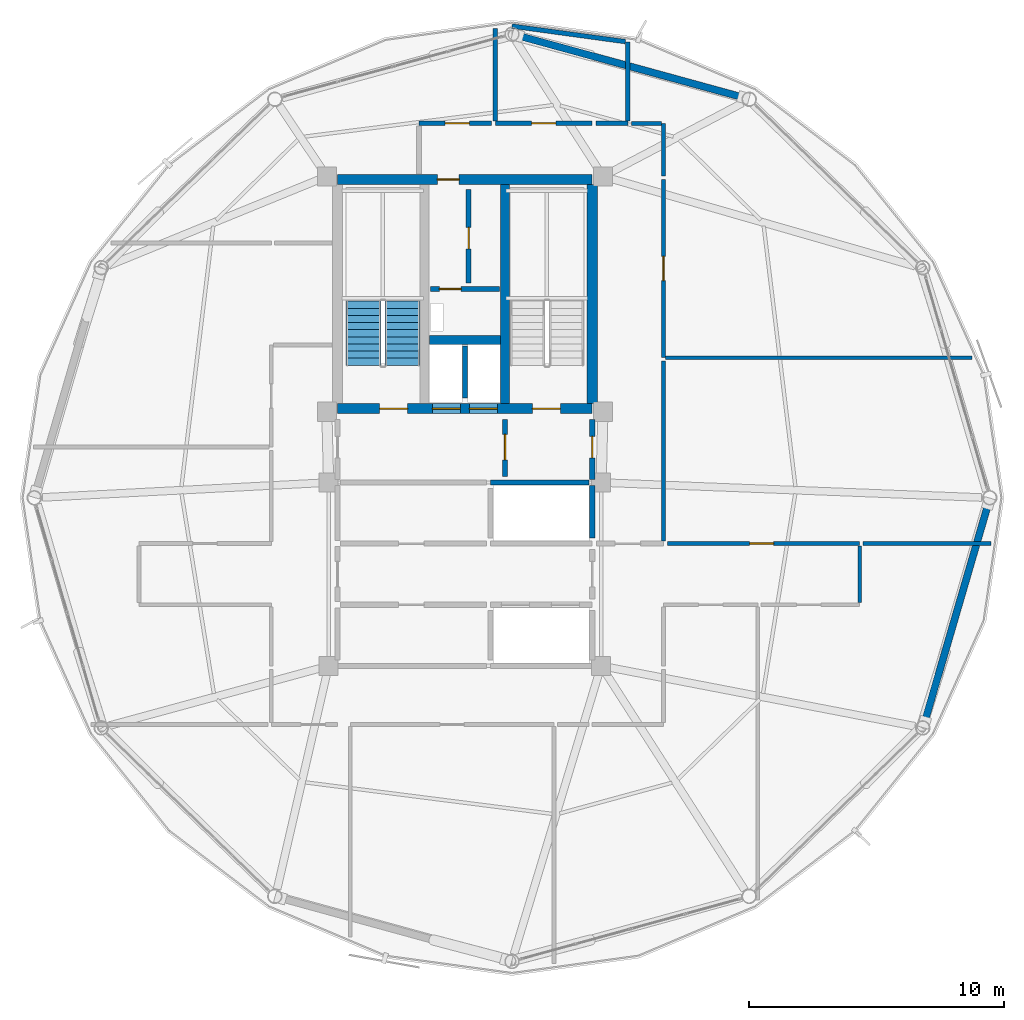
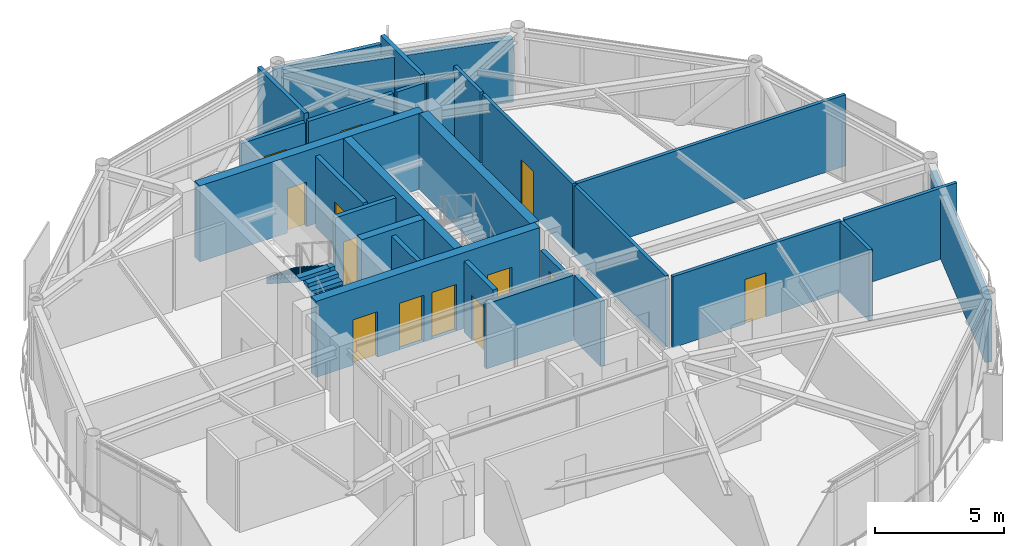
# One storey, part 23 of 27: 28 walls, 13 doors, 2 stair flights, 13 openings, 1 element without a shape of its own.
"""IFC4 building model written with IfcOpenShell, lengths in metres."""

from ifc_helpers import new_model, si_unit, direction, frame, frame_2d, origin, place, context, subcontext, project, spatial, polyline, rectangle, outline, extrude, material, layer, layer_set, type_object, element, fill, aggregate, save


model = new_model("IFC4")

# Units and contexts
model_context = context("Model", 3, precision=1e-05, world=origin(), true_north=direction((0.0, 1.0)))
body_context = subcontext(model_context, "Body", "Model", "MODEL_VIEW")
ifc_project = project(units=[si_unit("LENGTHUNIT", "METRE"), si_unit("AREAUNIT", "SQUARE_METRE"), si_unit("VOLUMEUNIT", "CUBIC_METRE"), si_unit("PLANEANGLEUNIT", "RADIAN"), si_unit("MASSUNIT", "GRAM", prefix="KILO")], contexts=[model_context])

# Site, building, storey
site_placement = place(None, origin())
site = spatial("IfcSite", under=ifc_project, at=site_placement, CompositionType="ELEMENT")
building_placement = place(site_placement, origin())
building = spatial("IfcBuilding", under=site, at=building_placement, Name="Varnakorn Sky Granary", CompositionType="ELEMENT")
storey_placement = place(building_placement, frame((0.0, 0.0, 232.800048828125)))
storey = spatial("IfcBuildingStorey", under=building, at=storey_placement, Name="L59", CompositionType="ELEMENT", Elevation=232.800048828125)

# Walls
ifc_material_1 = material(Name="Concrete C50/60", Category="concrete")
ifc_layer_1 = layer(ifc_material_1, 0.35009765625, Name="Concrete C50/60")
ifc_layer_set_1 = layer_set([ifc_layer_1], Name="Concrete C50/60")
wall_type_1 = type_object("IfcWallType", Name="WT-CW-INT-350", PredefinedType="SHEAR", material=ifc_layer_set_1)
wall_1_placement = place(storey_placement, frame((4.580078125, 3.7099609375, 0.0), z_axis=(0.0, 0.0, 1.0), x_axis=(0.0, 1.0, 0.0)))
element("IfcWall", 1, at=wall_1_placement, inside=storey, type_object=wall_type_1, Name="Stair ST-2 Core Wall L59", PredefinedType="SHEAR", context=body_context, shape_type="SweptSolid", body=[
    extrude(rectangle(XDim=8.580078125, YDim=0.35009765625, at=frame_2d((4.2900390625, 0.0))), origin(), (0.0, 0.0, 1.0), 3.592041015625),
])
wall_2_placement = place(storey_placement, frame((1.610107421875, 6.199951171875, 0.0), z_axis=(0.0, 0.0, 1.0), x_axis=(1.0, 0.0, 0.0)))
element("IfcWall", 2, at=wall_2_placement, inside=storey, type_object=wall_type_1, Name="Core Lift Shaft Cross Wall L59", PredefinedType="SHEAR", context=body_context, shape_type="SweptSolid", body=[
    extrude(rectangle(XDim=2.77978515625, YDim=0.35009765625, at=frame_2d((1.389892578125, 0.0))), origin(), (0.0, 0.0, 1.0), 3.592041015625),
])

# Wall, openings, doors
ifc_layer_2 = layer(ifc_material_1, 0.39990234375, Name="Concrete C50/60")
ifc_layer_set_2 = layer_set([ifc_layer_2], Name="Concrete C50/60")
wall_type_2 = type_object("IfcWallType", Name="WT-CW-SHEAR-400", PredefinedType="SHEAR", material=ifc_layer_set_2)
wall_3_placement = place(storey_placement, frame((-2.0, 3.5, 0.0), z_axis=(0.0, 0.0, 1.0), x_axis=(1.0, 0.0, 0.0)))
wall_3 = element("IfcWall", 3, at=wall_3_placement, inside=storey, type_object=wall_type_2, Name="Core South Shear Wall L59", PredefinedType="SHEAR", context=body_context, shape_type="SweptSolid", body=[
    extrude(rectangle(XDim=10.0, YDim=0.39990234375, at=frame_2d((5.0, 0.0))), origin(), (0.0, 0.0, 1.0), 3.592041015625),
])
opening_1_placement = place(wall_3_placement, frame((1.64990234375, 0.0, 0.0)))
opening_1 = element("IfcOpeningElement", 4, at=opening_1_placement, cuts=wall_3, Name="Opening FD-90", PredefinedType="OPENING", context=body_context, shape_type="SweptSolid", body=[
    extrude(rectangle(XDim=1.10009765625, YDim=2.14990234375, at=frame_2d((0.550048828125, 1.074951171875))), frame((0.0, 0.2099609375, 0.0), z_axis=(0.0, -1.0, 0.0), x_axis=(1.0, 0.0, 0.0)), (0.0, 0.0, 1.0), 0.419921875),
])
opening_2_placement = place(wall_3_placement, frame((7.64990234375, 0.0, 0.0)))
opening_2 = element("IfcOpeningElement", 5, at=opening_2_placement, cuts=wall_3, Name="Opening FD-90", PredefinedType="OPENING", context=body_context, shape_type="SweptSolid", body=[
    extrude(rectangle(XDim=1.10009765625, YDim=2.14990234375, at=frame_2d((0.550048828125, 1.074951171875))), frame((0.0, 0.2099609375, 0.0), z_axis=(0.0, -1.0, 0.0), x_axis=(1.0, 0.0, 0.0)), (0.0, 0.0, 1.0), 0.419921875),
])
opening_3_placement = place(wall_3_placement, frame((3.719970703125, 0.0, 0.0)))
opening_3 = element("IfcOpeningElement", 6, at=opening_3_placement, cuts=wall_3, Name="Opening LD-01", PredefinedType="OPENING", context=body_context, shape_type="SweptSolid", body=[
    extrude(rectangle(XDim=1.10009765625, YDim=2.199951171875, at=frame_2d((0.550048828125, 1.10009765625))), frame((0.0, 0.2099609375, 0.0), z_axis=(0.0, -1.0, 0.0), x_axis=(1.0, 0.0, 0.0)), (0.0, 0.0, 1.0), 0.419921875),
])
opening_4_placement = place(wall_3_placement, frame((5.179931640625, 0.0, 0.0)))
opening_4 = element("IfcOpeningElement", 7, at=opening_4_placement, cuts=wall_3, Name="Opening LD-01", PredefinedType="OPENING", context=body_context, shape_type="SweptSolid", body=[
    extrude(rectangle(XDim=1.10009765625, YDim=2.199951171875, at=frame_2d((0.550048828125, 1.10009765625))), frame((0.0, 0.2099609375, 0.0), z_axis=(0.0, -1.0, 0.0), x_axis=(1.0, 0.0, 0.0)), (0.0, 0.0, 1.0), 0.419921875),
])
ifc_material_2 = material(Name="Brushed Bronze Stainless Steel", Category="steel")
door_type_1 = type_object("IfcDoorType", Name="DR-LD-1100", OperationType="DOUBLE_DOOR_SLIDING", PredefinedType="DOOR", material=ifc_material_2)
door_1_placement = place(opening_3_placement, origin())
door_1 = element("IfcDoor", 8, at=door_1_placement, inside=storey, type_object=door_type_1, Name="Firefighting Lift FFL-1 Landing Door L59", OperationType="DOUBLE_DOOR_SLIDING", OverallHeight=2.199951171875, OverallWidth=1.10009765625, PredefinedType="DOOR", context=body_context, shape_type="SweptSolid", body=[
    extrude(rectangle(XDim=1.10009765625, YDim=2.199951171875, at=frame_2d((0.550048828125, 1.10009765625))), frame((0.0, 0.02490234375, 0.0), z_axis=(0.0, -1.0, 0.0), x_axis=(1.0, 0.0, 0.0)), (0.0, 0.0, 1.0), 0.050048828125),
])
fill(opening_3, door_1)
door_2_placement = place(opening_4_placement, origin())
door_2 = element("IfcDoor", 9, at=door_2_placement, inside=storey, type_object=door_type_1, Name="Firefighting Lift FFL-2 Landing Door L59", OperationType="DOUBLE_DOOR_SLIDING", OverallHeight=2.199951171875, OverallWidth=1.10009765625, PredefinedType="DOOR", context=body_context, shape_type="SweptSolid", body=[
    extrude(rectangle(XDim=1.10009765625, YDim=2.199951171875, at=frame_2d((0.550048828125, 1.10009765625))), frame((0.0, 0.02490234375, 0.0), z_axis=(0.0, -1.0, 0.0), x_axis=(1.0, 0.0, 0.0)), (0.0, 0.0, 1.0), 0.050048828125),
])
fill(opening_4, door_2)
ifc_material_3 = material(Name="Galvanised Painted Steel Leaf", Category="steel")
door_type_2 = type_object("IfcDoorType", Name="DR-STAIR-1100", OperationType="NOTDEFINED", PredefinedType="DOOR", material=ifc_material_3)
door_3_placement = place(opening_1_placement, origin())
door_3 = element("IfcDoor", 10, at=door_3_placement, inside=storey, type_object=door_type_2, Name="Stair ST-1 Protected Fire Door L59", OperationType="SINGLE_SWING_LEFT", OverallHeight=2.14990234375, OverallWidth=1.10009765625, PredefinedType="DOOR", context=body_context, shape_type="SweptSolid", body=[
    extrude(rectangle(XDim=1.10009765625, YDim=2.14990234375, at=frame_2d((0.550048828125, 1.074951171875))), frame((0.0, 0.02490234375, 0.0), z_axis=(0.0, -1.0, 0.0), x_axis=(1.0, 0.0, 0.0)), (0.0, 0.0, 1.0), 0.050048828125),
])
fill(opening_1, door_3)
door_4_placement = place(opening_2_placement, origin())
door_4 = element("IfcDoor", 11, at=door_4_placement, inside=storey, type_object=door_type_2, Name="Stair ST-2 Protected Fire Door L59", OperationType="SINGLE_SWING_RIGHT", OverallHeight=2.14990234375, OverallWidth=1.10009765625, PredefinedType="DOOR", context=body_context, shape_type="SweptSolid", body=[
    extrude(rectangle(XDim=1.10009765625, YDim=2.14990234375, at=frame_2d((0.550048828125, 1.074951171875))), frame((0.0, 0.02490234375, 0.0), z_axis=(0.0, -1.0, 0.0), x_axis=(1.0, 0.0, 0.0)), (0.0, 0.0, 1.0), 0.050048828125),
])
fill(opening_2, door_4)

# Wall, opening, door
wall_4_placement = place(storey_placement, frame((-2.0, 12.5, 0.0), z_axis=(0.0, 0.0, 1.0), x_axis=(1.0, 0.0, 0.0)))
wall_4 = element("IfcWall", 12, at=wall_4_placement, inside=storey, type_object=wall_type_2, Name="Core North Shear Wall L59", PredefinedType="SHEAR", context=body_context, shape_type="SweptSolid", body=[
    extrude(rectangle(XDim=10.0, YDim=0.39990234375, at=frame_2d((5.0, 0.0))), origin(), (0.0, 0.0, 1.0), 3.592041015625),
])
opening_5_placement = place(wall_4_placement, frame((3.919921875, 0.0, 0.0)))
opening_5 = element("IfcOpeningElement", 13, at=opening_5_placement, cuts=wall_4, Name="Opening FD-60N", PredefinedType="OPENING", context=body_context, shape_type="SweptSolid", body=[
    extrude(rectangle(XDim=0.85009765625, YDim=2.10009765625, at=frame_2d((0.425048828125, 1.050048828125))), frame((0.0, 0.2099609375, 0.0), z_axis=(0.0, -1.0, 0.0), x_axis=(1.0, 0.0, 0.0)), (0.0, 0.0, 1.0), 0.419921875),
])
ifc_material_4 = material(Name="Acoustic Timber Fire Leaf", Category="wood")
door_type_3 = type_object("IfcDoorType", Name="DR-FD60-850", OperationType="NOTDEFINED", PredefinedType="DOOR", material=ifc_material_4)
door_5_placement = place(opening_5_placement, origin())
door_5 = element("IfcDoor", 14, at=door_5_placement, inside=storey, type_object=door_type_3, Name="Core North Service Door L59", OperationType="SINGLE_SWING_LEFT", OverallHeight=2.10009765625, OverallWidth=0.85009765625, PredefinedType="DOOR", context=body_context, shape_type="SweptSolid", body=[
    extrude(rectangle(XDim=0.85009765625, YDim=2.10009765625, at=frame_2d((0.425048828125, 1.050048828125))), frame((0.0, 0.02490234375, 0.0), z_axis=(0.0, -1.0, 0.0), x_axis=(1.0, 0.0, 0.0)), (0.0, 0.0, 1.0), 0.050048828125),
])
fill(opening_5, door_5)

# Walls
wall_5_placement = place(storey_placement, frame((8.0, 3.7099609375, 0.0), z_axis=(0.0, 0.0, 1.0), x_axis=(0.0, 1.0, 0.0)))
element("IfcWall", 15, at=wall_5_placement, inside=storey, type_object=wall_type_2, Name="Core East Shear Wall L59", PredefinedType="SHEAR", context=body_context, shape_type="SweptSolid", body=[
    extrude(rectangle(XDim=8.580078125, YDim=0.39990234375, at=frame_2d((4.2900390625, 0.0))), origin(), (0.0, 0.0, 1.0), 3.592041015625),
])
ifc_material_5 = material(Name="Precast concrete C40/50", Category="concrete")
ifc_layer_3 = layer(ifc_material_5, 0.280029296875, Name="Precast concrete C40/50")
ifc_layer_set_3 = layer_set([ifc_layer_3], Name="Precast concrete C40/50")
wall_type_3 = type_object("IfcWallType", Name="WT-EW-CRN-280", PredefinedType="SOLIDWALL", material=ifc_layer_set_3)
wall_6_placement = place(storey_placement, frame((5.076171875, 18.14599609375, 0.0), z_axis=(0.0, 0.0, 1.0), x_axis=(0.96435193732, -0.264623016736, 0.0)))
element("IfcWall", 16, at=wall_6_placement, inside=storey, type_object=wall_type_3, Name="Agritech Insulated Precast Facade Wall L59-P03", PredefinedType="SOLIDWALL", context=body_context, shape_type="SweptSolid", body=[
    extrude(rectangle(XDim=9.19091796875, YDim=0.280029296875, at=frame_2d((4.595458984375, 0.0))), origin(), (0.0, 0.0, 1.0), 2.969970703125),
])
wall_7_placement = place(storey_placement, frame((23.55029296875, -0.22509765625, 0.0), z_axis=(0.0, 0.0, 1.0), x_axis=(-0.279531356442, -0.960136563602, 0.0)))
element("IfcWall", 17, at=wall_7_placement, inside=storey, type_object=wall_type_3, Name="Agritech Insulated Precast Facade Wall L59-P12", PredefinedType="SOLIDWALL", context=body_context, shape_type="SweptSolid", body=[
    extrude(rectangle(XDim=8.942626953125, YDim=0.280029296875, at=frame_2d((4.47119140625, 0.0))), origin(), (0.0, 0.0, 1.0), 2.969970703125),
])

# Wall, opening, door
ifc_material_6 = material(Name="Autoclaved Aerated Concrete Blockwork", Category="masonry")
ifc_layer_4 = layer(ifc_material_6, 0.199951171875, Name="Autoclaved Aerated Concrete Blockwork")
ifc_layer_set_4 = layer_set([ifc_layer_4], Name="Autoclaved Aerated Concrete Blockwork")
wall_type_4 = type_object("IfcWallType", Name="WT-FIRE-200", PredefinedType="MOVABLE", material=ifc_layer_set_4)
wall_8_placement = place(storey_placement, frame((1.64990234375, 8.199951171875, 0.0), z_axis=(0.0, 0.0, 1.0), x_axis=(1.0, 0.0, 0.0)))
wall_8 = element("IfcWall", 18, at=wall_8_placement, inside=storey, type_object=wall_type_4, Name="Interior Partition Wall L59-010", PredefinedType="MOVABLE", context=body_context, shape_type="SweptSolid", body=[
    extrude(rectangle(XDim=2.7001953125, YDim=0.199951171875, at=frame_2d((1.35009765625, 0.0))), origin(), (0.0, 0.0, 1.0), 3.35986328125),
])
opening_6_placement = place(wall_8_placement, frame((0.35009765625, 0.0, 0.0)))
opening_6 = element("IfcOpeningElement", 19, at=opening_6_placement, cuts=wall_8, Name="Opening FD-60N", PredefinedType="OPENING", context=body_context, shape_type="SweptSolid", body=[
    extrude(rectangle(XDim=0.85009765625, YDim=2.10009765625, at=frame_2d((0.425048828125, 1.050048828125))), frame((0.0, 0.10986328125, 0.0), z_axis=(0.0, -1.0, 0.0), x_axis=(1.0, 0.0, 0.0)), (0.0, 0.0, 1.0), 0.219970703125),
])
door_6_placement = place(opening_6_placement, origin())
door_6 = element("IfcDoor", 20, at=door_6_placement, inside=storey, type_object=door_type_3, Name="Interior Door L59-010-1", OperationType="SINGLE_SWING_LEFT", OverallHeight=2.10009765625, OverallWidth=0.85009765625, PredefinedType="DOOR", context=body_context, shape_type="SweptSolid", body=[
    extrude(rectangle(XDim=0.85009765625, YDim=2.10009765625, at=frame_2d((0.425048828125, 1.050048828125))), frame((0.0, 0.02490234375, 0.0), z_axis=(0.0, -1.0, 0.0), x_axis=(1.0, 0.0, 0.0)), (0.0, 0.0, 1.0), 0.050048828125),
])
fill(opening_6, door_6)

wall_9_placement = place(storey_placement, frame((3.14990234375, 8.429931640625, 0.0), z_axis=(0.0, 0.0, 1.0), x_axis=(0.0, 1.0, 0.0)))
wall_9 = element("IfcWall", 21, at=wall_9_placement, inside=storey, type_object=wall_type_4, Name="Interior Partition Wall L59-011", PredefinedType="MOVABLE", context=body_context, shape_type="SweptSolid", body=[
    extrude(rectangle(XDim=3.670166015625, YDim=0.199951171875, at=frame_2d((1.8349609375, 0.0))), origin(), (0.0, 0.0, 1.0), 3.35986328125),
])
opening_7_placement = place(wall_9_placement, frame((1.340087890625, 0.0, 0.0)))
opening_7 = element("IfcOpeningElement", 22, at=opening_7_placement, cuts=wall_9, Name="Opening FD-60N", PredefinedType="OPENING", context=body_context, shape_type="SweptSolid", body=[
    extrude(rectangle(XDim=0.85009765625, YDim=2.10009765625, at=frame_2d((0.425048828125, 1.050048828125))), frame((0.0, 0.10986328125, 0.0), z_axis=(0.0, -1.0, 0.0), x_axis=(1.0, 0.0, 0.0)), (0.0, 0.0, 1.0), 0.219970703125),
])
door_7_placement = place(opening_7_placement, origin())
door_7 = element("IfcDoor", 23, at=door_7_placement, inside=storey, type_object=door_type_3, Name="Interior Door L59-011-1", OperationType="SINGLE_SWING_RIGHT", OverallHeight=2.10009765625, OverallWidth=0.85009765625, PredefinedType="DOOR", context=body_context, shape_type="SweptSolid", body=[
    extrude(rectangle(XDim=0.85009765625, YDim=2.10009765625, at=frame_2d((0.425048828125, 1.050048828125))), frame((0.0, 0.02490234375, 0.0), z_axis=(0.0, -1.0, 0.0), x_axis=(1.0, 0.0, 0.0)), (0.0, 0.0, 1.0), 0.050048828125),
])
fill(opening_7, door_7)

wall_10_placement = place(storey_placement, frame((4.580078125, 0.830078125, 0.0), z_axis=(0.0, 0.0, 1.0), x_axis=(0.0, 1.0, 0.0)))
wall_10 = element("IfcWall", 24, at=wall_10_placement, inside=storey, type_object=wall_type_4, Name="Interior Partition Wall L59-012", PredefinedType="MOVABLE", context=body_context, shape_type="SweptSolid", body=[
    extrude(rectangle(XDim=2.239990234375, YDim=0.199951171875, at=frame_2d((1.1201171875, 0.0))), origin(), (0.0, 0.0, 1.0), 3.35986328125),
])
opening_8_placement = place(wall_10_placement, frame((0.659912109375, 0.0, 0.0)))
opening_8 = element("IfcOpeningElement", 25, at=opening_8_placement, cuts=wall_10, Name="Opening FD-60", PredefinedType="OPENING", context=body_context, shape_type="SweptSolid", body=[
    extrude(rectangle(XDim=1.0, YDim=2.10009765625, at=frame_2d((0.5, 1.050048828125))), frame((0.0, 0.10986328125, 0.0), z_axis=(0.0, -1.0, 0.0), x_axis=(1.0, 0.0, 0.0)), (0.0, 0.0, 1.0), 0.219970703125),
])
door_type_4 = type_object("IfcDoorType", Name="DR-FD60-1000", OperationType="NOTDEFINED", PredefinedType="DOOR", material=ifc_material_4)
door_8_placement = place(opening_8_placement, origin())
door_8 = element("IfcDoor", 26, at=door_8_placement, inside=storey, type_object=door_type_4, Name="Interior Door L59-012-1", OperationType="SINGLE_SWING_LEFT", OverallHeight=2.10009765625, OverallWidth=1.0, PredefinedType="DOOR", context=body_context, shape_type="SweptSolid", body=[
    extrude(rectangle(XDim=1.0, YDim=2.10009765625, at=frame_2d((0.5, 1.050048828125))), frame((0.0, 0.02490234375, 0.0), z_axis=(0.0, -1.0, 0.0), x_axis=(1.0, 0.0, 0.0)), (0.0, 0.0, 1.0), 0.050048828125),
])
fill(opening_8, door_8)

wall_11_placement = place(storey_placement, frame((8.0, 0.719970703125, 0.0), z_axis=(0.0, 0.0, 1.0), x_axis=(0.0, 1.0, 0.0)))
wall_11 = element("IfcWall", 27, at=wall_11_placement, inside=storey, type_object=wall_type_4, Name="Interior Partition Wall L59-014", PredefinedType="MOVABLE", context=body_context, shape_type="SweptSolid", body=[
    extrude(rectangle(XDim=2.35009765625, YDim=0.199951171875, at=frame_2d((1.175048828125, 0.0))), origin(), (0.0, 0.0, 1.0), 2.69189453125),
])
opening_9_placement = place(wall_11_placement, frame((0.844970703125, 0.0, 0.0)))
opening_9 = element("IfcOpeningElement", 28, at=opening_9_placement, cuts=wall_11, Name="Opening FD-60N", PredefinedType="OPENING", context=body_context, shape_type="SweptSolid", body=[
    extrude(rectangle(XDim=0.85009765625, YDim=2.10009765625, at=frame_2d((0.425048828125, 1.050048828125))), frame((0.0, 0.10986328125, 0.0), z_axis=(0.0, -1.0, 0.0), x_axis=(1.0, 0.0, 0.0)), (0.0, 0.0, 1.0), 0.219970703125),
])
door_9_placement = place(opening_9_placement, origin())
door_9 = element("IfcDoor", 29, at=door_9_placement, inside=storey, type_object=door_type_3, Name="Interior Door L59-014-1", OperationType="SINGLE_SWING_LEFT", OverallHeight=2.10009765625, OverallWidth=0.85009765625, PredefinedType="DOOR", context=body_context, shape_type="SweptSolid", body=[
    extrude(rectangle(XDim=0.85009765625, YDim=2.10009765625, at=frame_2d((0.425048828125, 1.050048828125))), frame((0.0, 0.02490234375, 0.0), z_axis=(0.0, -1.0, 0.0), x_axis=(1.0, 0.0, 0.0)), (0.0, 0.0, 1.0), 0.050048828125),
])
fill(opening_9, door_9)

ifc_material_7 = material(Name="Gypsum Plasterboard on Steel Stud", Category="steel")
ifc_layer_5 = layer(ifc_material_7, 0.14990234375, Name="Gypsum Plasterboard on Steel Stud")
ifc_layer_set_5 = layer_set([ifc_layer_5], Name="Gypsum Plasterboard on Steel Stud")
wall_type_5 = type_object("IfcWallType", Name="WT-PART-150", PredefinedType="PARTITIONING", material=ifc_layer_set_5)
wall_12_placement = place(storey_placement, frame((18.5, -1.800048828125, 0.0), z_axis=(0.0, 0.0, 1.0), x_axis=(-1.0, 0.0, 0.0)))
wall_12 = element("IfcWall", 30, at=wall_12_placement, inside=storey, type_object=wall_type_5, Name="Interior Partition Wall L59-028", PredefinedType="PARTITIONING", context=body_context, shape_type="SweptSolid", body=[
    extrude(rectangle(XDim=7.5400390625, YDim=0.14990234375, at=frame_2d((3.77001953125, 0.0))), origin(), (0.0, 0.0, 1.0), 3.35986328125),
])
opening_10_placement = place(wall_12_placement, frame((3.375, 0.0, 0.0)))
opening_10 = element("IfcOpeningElement", 31, at=opening_10_placement, cuts=wall_12, Name="Opening ID-95", PredefinedType="OPENING", context=body_context, shape_type="SweptSolid", body=[
    extrude(rectangle(XDim=0.949951171875, YDim=2.10009765625, at=frame_2d((0.47509765625, 1.050048828125))), frame((0.0, 0.0849609375, 0.0), z_axis=(0.0, -1.0, 0.0), x_axis=(1.0, 0.0, 0.0)), (0.0, 0.0, 1.0), 0.169921875),
])
ifc_material_8 = material(Name="Solid-Core Teak Veneer Leaf", Category="timber")
door_type_5 = type_object("IfcDoorType", Name="DR-INT-950", OperationType="NOTDEFINED", PredefinedType="DOOR", material=ifc_material_8)
door_10_placement = place(opening_10_placement, origin())
door_10 = element("IfcDoor", 32, at=door_10_placement, inside=storey, type_object=door_type_5, Name="Interior Door L59-028-1", OperationType="SINGLE_SWING_LEFT", OverallHeight=2.10009765625, OverallWidth=0.949951171875, PredefinedType="DOOR", context=body_context, shape_type="SweptSolid", body=[
    extrude(rectangle(XDim=0.949951171875, YDim=2.10009765625, at=frame_2d((0.47509765625, 1.050048828125))), frame((0.0, 0.02490234375, 0.0), z_axis=(0.0, -1.0, 0.0), x_axis=(1.0, 0.0, 0.0)), (0.0, 0.0, 1.0), 0.050048828125),
])
fill(opening_10, door_10)

wall_13_placement = place(storey_placement, frame((10.800048828125, 5.5, 0.0), z_axis=(0.0, 0.0, 1.0), x_axis=(0.0, 1.0, 0.0)))
wall_13 = element("IfcWall", 33, at=wall_13_placement, inside=storey, type_object=wall_type_5, Name="Interior Partition Wall L59-029", PredefinedType="PARTITIONING", context=body_context, shape_type="SweptSolid", body=[
    extrude(rectangle(XDim=7.0, YDim=0.14990234375, at=frame_2d((3.5, 0.0))), origin(), (0.0, 0.0, 1.0), 3.35986328125),
])
opening_11_placement = place(wall_13_placement, frame((3.02490234375, 0.0, 0.0)))
opening_11 = element("IfcOpeningElement", 34, at=opening_11_placement, cuts=wall_13, Name="Opening ID-95", PredefinedType="OPENING", context=body_context, shape_type="SweptSolid", body=[
    extrude(rectangle(XDim=0.949951171875, YDim=2.10009765625, at=frame_2d((0.47509765625, 1.050048828125))), frame((0.0, 0.0849609375, 0.0), z_axis=(0.0, -1.0, 0.0), x_axis=(1.0, 0.0, 0.0)), (0.0, 0.0, 1.0), 0.169921875),
])
door_11_placement = place(opening_11_placement, origin())
door_11 = element("IfcDoor", 35, at=door_11_placement, inside=storey, type_object=door_type_5, Name="Interior Door L59-029-1", OperationType="SINGLE_SWING_RIGHT", OverallHeight=2.10009765625, OverallWidth=0.949951171875, PredefinedType="DOOR", context=body_context, shape_type="SweptSolid", body=[
    extrude(rectangle(XDim=0.949951171875, YDim=2.10009765625, at=frame_2d((0.47509765625, 1.050048828125))), frame((0.0, 0.02490234375, 0.0), z_axis=(0.0, -1.0, 0.0), x_axis=(1.0, 0.0, 0.0)), (0.0, 0.0, 1.0), 0.050048828125),
])
fill(opening_11, door_11)

# Walls
wall_14_placement = place(storey_placement, frame((18.5, -4.114990234375, 0.0), z_axis=(0.0, 0.0, 1.0), x_axis=(0.0, 1.0, 0.0)))
element("IfcWall", 36, at=wall_14_placement, inside=storey, type_object=wall_type_5, Name="Interior Partition Wall L59-043", PredefinedType="PARTITIONING", context=body_context, shape_type="SweptSolid", body=[
    extrude(rectangle(XDim=2.22998046875, YDim=0.14990234375, at=frame_2d((1.114990234375, 0.0))), origin(), (0.0, 0.0, 1.0), 3.35986328125),
])
wall_15_placement = place(storey_placement, frame((18.635009765625, -1.800048828125, 0.0), z_axis=(0.0, 0.0, 1.0), x_axis=(1.0, 0.0, 0.0)))
element("IfcWall", 37, at=wall_15_placement, inside=storey, type_object=wall_type_5, Name="Interior Partition Wall L59-044", PredefinedType="PARTITIONING", context=body_context, shape_type="SweptSolid", body=[
    extrude(rectangle(XDim=5.030029296875, YDim=0.14990234375, at=frame_2d((2.51513671875, 0.0))), origin(), (0.0, 0.0, 1.0), 3.35986328125),
])
wall_16_placement = place(storey_placement, frame((10.800048828125, -1.68994140625, 0.0), z_axis=(0.0, 0.0, 1.0), x_axis=(0.0, 1.0, 0.0)))
element("IfcWall", 38, at=wall_16_placement, inside=storey, type_object=wall_type_5, Name="Interior Partition Wall L59-056", PredefinedType="PARTITIONING", context=body_context, shape_type="SweptSolid", body=[
    extrude(rectangle(XDim=7.054931640625, YDim=0.14990234375, at=frame_2d((3.52734375, 0.0))), origin(), (0.0, 0.0, 1.0), 3.35986328125),
])
wall_17_placement = place(storey_placement, frame((10.885009765625, 5.5, 0.0), z_axis=(0.0, 0.0, 1.0), x_axis=(1.0, 0.0, 0.0)))
element("IfcWall", 39, at=wall_17_placement, inside=storey, type_object=wall_type_5, Name="Interior Partition Wall L59-057", PredefinedType="PARTITIONING", context=body_context, shape_type="SweptSolid", body=[
    extrude(rectangle(XDim=12.02490234375, YDim=0.14990234375, at=frame_2d((6.012451171875, 0.0))), origin(), (0.0, 0.0, 1.0), 3.35986328125),
])
wall_18_placement = place(storey_placement, frame((10.800048828125, 12.635009765625, 0.0), z_axis=(0.0, 0.0, 1.0), x_axis=(0.0, 1.0, 0.0)))
element("IfcWall", 40, at=wall_18_placement, inside=storey, type_object=wall_type_5, Name="Interior Partition Wall L59-058", PredefinedType="PARTITIONING", context=body_context, shape_type="SweptSolid", body=[
    extrude(rectangle(XDim=2.06494140625, YDim=0.14990234375, at=frame_2d((1.032470703125, 0.0))), origin(), (0.0, 0.0, 1.0), 3.35986328125),
])
wall_19_placement = place(storey_placement, frame((10.715087890625, 14.699951171875, 0.0), z_axis=(0.0, 0.0, 1.0), x_axis=(-1.0, 0.0, 0.0)))
element("IfcWall", 41, at=wall_19_placement, inside=storey, type_object=wall_type_5, Name="Interior Partition Wall L59-059", PredefinedType="PARTITIONING", context=body_context, shape_type="SweptSolid", body=[
    extrude(rectangle(XDim=1.1650390625, YDim=0.14990234375, at=frame_2d((0.58251953125, 0.0))), origin(), (0.0, 0.0, 1.0), 3.072021484375),
])

# Wall, opening, door
ifc_material_9 = material(Name="Moisture-Resistant Gypsum on Stud", Category="gypsum")
ifc_layer_6 = layer(ifc_material_9, 0.179931640625, Name="Moisture-Resistant Gypsum on Stud")
ifc_layer_set_6 = layer_set([ifc_layer_6], Name="Moisture-Resistant Gypsum on Stud")
wall_type_6 = type_object("IfcWallType", Name="WT-PLUMB-180", PredefinedType="PLUMBINGWALL", material=ifc_layer_set_6)
wall_20_placement = place(storey_placement, frame((8.0, 14.699951171875, 0.0), z_axis=(0.0, 0.0, 1.0), x_axis=(-1.0, 0.0, 0.0)))
wall_20 = element("IfcWall", 42, at=wall_20_placement, inside=storey, type_object=wall_type_6, Name="Interior Partition Wall L59-020", PredefinedType="PLUMBINGWALL", context=body_context, shape_type="SweptSolid", body=[
    extrude(rectangle(XDim=3.800048828125, YDim=0.179931640625, at=frame_2d((1.89990234375, 0.0))), origin(), (0.0, 0.0, 1.0), 3.072021484375),
])
opening_12_placement = place(wall_20_placement, frame((1.425048828125, 0.0, 0.0)))
opening_12 = element("IfcOpeningElement", 43, at=opening_12_placement, cuts=wall_20, Name="Opening ID-95", PredefinedType="OPENING", context=body_context, shape_type="SweptSolid", body=[
    extrude(rectangle(XDim=0.949951171875, YDim=2.10009765625, at=frame_2d((0.47509765625, 1.050048828125))), frame((0.0, 0.10009765625, 0.0), z_axis=(0.0, -1.0, 0.0), x_axis=(1.0, 0.0, 0.0)), (0.0, 0.0, 1.0), 0.199951171875),
])
door_12_placement = place(opening_12_placement, origin())
door_12 = element("IfcDoor", 44, at=door_12_placement, inside=storey, type_object=door_type_5, Name="Interior Door L59-020-1", OperationType="SINGLE_SWING_LEFT", OverallHeight=2.10009765625, OverallWidth=0.949951171875, PredefinedType="DOOR", context=body_context, shape_type="SweptSolid", body=[
    extrude(rectangle(XDim=0.949951171875, YDim=2.10009765625, at=frame_2d((0.47509765625, 1.050048828125))), frame((0.0, 0.02490234375, 0.0), z_axis=(0.0, -1.0, 0.0), x_axis=(1.0, 0.0, 0.0)), (0.0, 0.0, 1.0), 0.050048828125),
])
fill(opening_12, door_12)

wall_21_placement = place(storey_placement, frame((4.050048828125, 14.699951171875, 0.0), z_axis=(0.0, 0.0, 1.0), x_axis=(-1.0, 0.0, 0.0)))
wall_21 = element("IfcWall", 45, at=wall_21_placement, inside=storey, type_object=wall_type_6, Name="Interior Partition Wall L59-027", PredefinedType="PLUMBINGWALL", context=body_context, shape_type="SweptSolid", body=[
    extrude(rectangle(XDim=2.85009765625, YDim=0.179931640625, at=frame_2d((1.425048828125, 0.0))), origin(), (0.0, 0.0, 1.0), 3.072021484375),
])
opening_13_placement = place(wall_21_placement, frame((0.875, 0.0, 0.0)))
opening_13 = element("IfcOpeningElement", 46, at=opening_13_placement, cuts=wall_21, Name="Opening ID-95", PredefinedType="OPENING", context=body_context, shape_type="SweptSolid", body=[
    extrude(rectangle(XDim=0.949951171875, YDim=2.10009765625, at=frame_2d((0.47509765625, 1.050048828125))), frame((0.0, 0.10009765625, 0.0), z_axis=(0.0, -1.0, 0.0), x_axis=(1.0, 0.0, 0.0)), (0.0, 0.0, 1.0), 0.199951171875),
])
door_13_placement = place(opening_13_placement, origin())
door_13 = element("IfcDoor", 47, at=door_13_placement, inside=storey, type_object=door_type_5, Name="Interior Door L59-027-1", OperationType="SINGLE_SWING_RIGHT", OverallHeight=2.10009765625, OverallWidth=0.949951171875, PredefinedType="DOOR", context=body_context, shape_type="SweptSolid", body=[
    extrude(rectangle(XDim=0.949951171875, YDim=2.10009765625, at=frame_2d((0.47509765625, 1.050048828125))), frame((0.0, 0.02490234375, 0.0), z_axis=(0.0, -1.0, 0.0), x_axis=(1.0, 0.0, 0.0)), (0.0, 0.0, 1.0), 0.050048828125),
])
fill(opening_13, door_13)

# Walls
wall_22_placement = place(storey_placement, frame((9.39990234375, 14.699951171875, 0.0), z_axis=(0.0, 0.0, 1.0), x_axis=(-1.0, 0.0, 0.0)))
element("IfcWall", 48, at=wall_22_placement, inside=storey, type_object=wall_type_6, Name="Interior Partition Wall L59-034", PredefinedType="PLUMBINGWALL", context=body_context, shape_type="SweptSolid", body=[
    extrude(rectangle(XDim=1.25, YDim=0.179931640625, at=frame_2d((0.625, 0.0))), origin(), (0.0, 0.0, 1.0), 3.072021484375),
])
wall_23_placement = place(storey_placement, frame((4.199951171875, 18.428955078125, 0.0), z_axis=(0.0, 0.0, 1.0), x_axis=(0.0, -1.0, 0.0)))
element("IfcWall", 49, at=wall_23_placement, inside=storey, type_object=wall_type_6, Name="Interior Partition Wall L59-055", PredefinedType="PLUMBINGWALL", context=body_context, shape_type="SweptSolid", body=[
    extrude(rectangle(XDim=3.62890625, YDim=0.179931640625, at=frame_2d((1.814453125, 0.0))), origin(), (0.0, 0.0, 1.0), 3.35986328125),
])
wall_24_placement = place(storey_placement, frame((9.39990234375, 14.800048828125, 0.0), z_axis=(0.0, 0.0, 1.0), x_axis=(0.0, 1.0, 0.0)))
element("IfcWall", 50, at=wall_24_placement, inside=storey, type_object=wall_type_6, Name="Interior Partition Wall L59-060", PredefinedType="PLUMBINGWALL", context=body_context, shape_type="SweptSolid", body=[
    extrude(rectangle(XDim=3.094970703125, YDim=0.179931640625, at=frame_2d((1.54736328125, 0.0))), origin(), (0.0, 0.0, 1.0), 3.35986328125),
])
wall_25_placement = place(storey_placement, frame((9.301025390625, 17.908935546875, 0.0), z_axis=(0.0, 0.0, 1.0), x_axis=(-0.990764904925, 0.135590940584, 0.0)))
element("IfcWall", 51, at=wall_25_placement, inside=storey, type_object=wall_type_6, Name="Interior Partition Wall L59-061", PredefinedType="PLUMBINGWALL", context=body_context, shape_type="SweptSolid", body=[
    extrude(rectangle(XDim=4.492431640625, YDim=0.179931640625, at=frame_2d((2.24609375, 0.0))), origin(), (0.0, 0.0, 1.0), 2.98193359375),
])
ifc_layer_7 = layer(ifc_material_6, 0.199951171875, Name="Autoclaved Aerated Concrete Blockwork")
ifc_layer_set_7 = layer_set([ifc_layer_7], Name="Autoclaved Aerated Concrete Blockwork")
wall_type_7 = type_object("IfcWallType", Name="WT-SHAFT-200", PredefinedType="SOLIDWALL", material=ifc_layer_set_7)
wall_26_placement = place(storey_placement, frame((3.0, 3.919921875, 0.0), z_axis=(0.0, 0.0, 1.0), x_axis=(0.0, 1.0, 0.0)))
element("IfcWall", 52, at=wall_26_placement, inside=storey, type_object=wall_type_7, Name="Interior Partition Wall L59-001", PredefinedType="SOLIDWALL", context=body_context, shape_type="SweptSolid", body=[
    extrude(rectangle(XDim=2.030029296875, YDim=0.199951171875, at=frame_2d((1.01513671875, 0.0))), origin(), (0.0, 0.0, 1.0), 3.35986328125),
])
wall_27_placement = place(storey_placement, frame((4.0, 0.60009765625, 0.0), z_axis=(0.0, 0.0, 1.0), x_axis=(1.0, 0.0, 0.0)))
element("IfcWall", 53, at=wall_27_placement, inside=storey, type_object=wall_type_7, Name="Interior Partition Wall L59-002", PredefinedType="SOLIDWALL", context=body_context, shape_type="SweptSolid", body=[
    extrude(rectangle(XDim=3.8798828125, YDim=0.199951171875, at=frame_2d((1.93994140625, 0.0))), origin(), (0.0, 0.0, 1.0), 3.072021484375),
])
wall_28_placement = place(storey_placement, frame((8.0, -1.570068359375, 0.0), z_axis=(0.0, 0.0, 1.0), x_axis=(0.0, 1.0, 0.0)))
element("IfcWall", 54, at=wall_28_placement, inside=storey, type_object=wall_type_7, Name="Interior Partition Wall L59-005", PredefinedType="SOLIDWALL", context=body_context, shape_type="SweptSolid", body=[
    extrude(rectangle(XDim=2.050048828125, YDim=0.199951171875, at=frame_2d((1.02490234375, 0.0))), origin(), (0.0, 0.0, 1.0), 3.072021484375),
])

# Stair, stair flights
ifc_material_10 = material(Name="Concrete C40/50", Category="concrete")
stair_type = type_object("IfcStairType", Name="ST-MAIN-ASSEMBLY", PredefinedType="HALF_TURN_STAIR", material=ifc_material_10)
stair_placement = place(storey_placement, origin())
stair = element("IfcStair", 55, at=stair_placement, inside=storey, type_object=stair_type, Name="L59 Protected Exit Stair ST-1", PredefinedType="HALF_TURN_STAIR")
stair_flight_type = type_object("IfcStairFlightType", Name="ST-MAIN-FLIGHT", PredefinedType="STRAIGHT", material=ifc_material_10)
stair_flight_1_placement = place(storey_placement, frame((0.550048828125, 5.199951171875, 0.0), z_axis=(0.0, 0.0, 1.0), x_axis=(0.0, 1.0, 0.0)))
stair_flight_1 = element("IfcStairFlight", 56, at=stair_flight_1_placement, type_object=stair_flight_type, Name="ST-1 flight 1", NumberOfRisers=10, NumberOfTreads=9, PredefinedType="STRAIGHT", RiserHeight=0.18, TreadLength=0.28, context=body_context, shape_type="SweptSolid", body=[
    extrude(outline(polyline([(0.0, -0.14990234375), (0.0, 0.0), (0.0, 0.179931640625), (0.280029296875, 0.179931640625), (0.280029296875, 0.360107421875), (0.56005859375, 0.360107421875), (0.56005859375, 0.5400390625), (0.840087890625, 0.5400390625), (0.840087890625, 0.719970703125), (1.1201171875, 0.719970703125), (1.1201171875, 0.89990234375), (1.39990234375, 0.89990234375), (1.39990234375, 1.080078125), (1.679931640625, 1.080078125), (1.679931640625, 1.260009765625), (1.9599609375, 1.260009765625), (1.9599609375, 1.43994140625), (2.239990234375, 1.43994140625), (2.239990234375, 1.6201171875), (2.52001953125, 1.6201171875), (2.52001953125, 1.800048828125), (2.52001953125, 1.44189453125), (0.050048828125, -0.14990234375), (0.0, -0.14990234375)])), frame((0.0, 0.68994140625, 0.0), z_axis=(0.0, -1.0, 0.0), x_axis=(1.0, 0.0, 0.0)), (0.0, 0.0, 1.0), 1.3798828125),
])
stair_flight_2_placement = place(storey_placement, frame((-0.97998046875, 7.719970703125, 1.800048828125), z_axis=(0.0, 0.0, 1.0), x_axis=(0.0, -1.0, 0.0)))
stair_flight_2 = element("IfcStairFlight", 57, at=stair_flight_2_placement, type_object=stair_flight_type, Name="ST-1 flight 2", NumberOfRisers=10, NumberOfTreads=9, PredefinedType="STRAIGHT", RiserHeight=0.18, TreadLength=0.28, context=body_context, shape_type="SweptSolid", body=[
    extrude(outline(polyline([(0.0, -0.14990234375), (0.0, 0.0), (0.0, 0.179931640625), (0.280029296875, 0.179931640625), (0.280029296875, 0.360107421875), (0.56005859375, 0.360107421875), (0.56005859375, 0.5400390625), (0.840087890625, 0.5400390625), (0.840087890625, 0.719970703125), (1.1201171875, 0.719970703125), (1.1201171875, 0.89990234375), (1.39990234375, 0.89990234375), (1.39990234375, 1.080078125), (1.679931640625, 1.080078125), (1.679931640625, 1.260009765625), (1.9599609375, 1.260009765625), (1.9599609375, 1.43994140625), (2.239990234375, 1.43994140625), (2.239990234375, 1.6201171875), (2.52001953125, 1.6201171875), (2.52001953125, 1.800048828125), (2.52001953125, 1.44189453125), (0.050048828125, -0.14990234375), (0.0, -0.14990234375)])), frame((0.0, 0.68994140625, 0.0), z_axis=(0.0, -1.0, 0.0), x_axis=(1.0, 0.0, 0.0)), (0.0, 0.0, 1.0), 1.3798828125),
])
aggregate(stair, [stair_flight_1, stair_flight_2])

save(model, "model.ifc")
